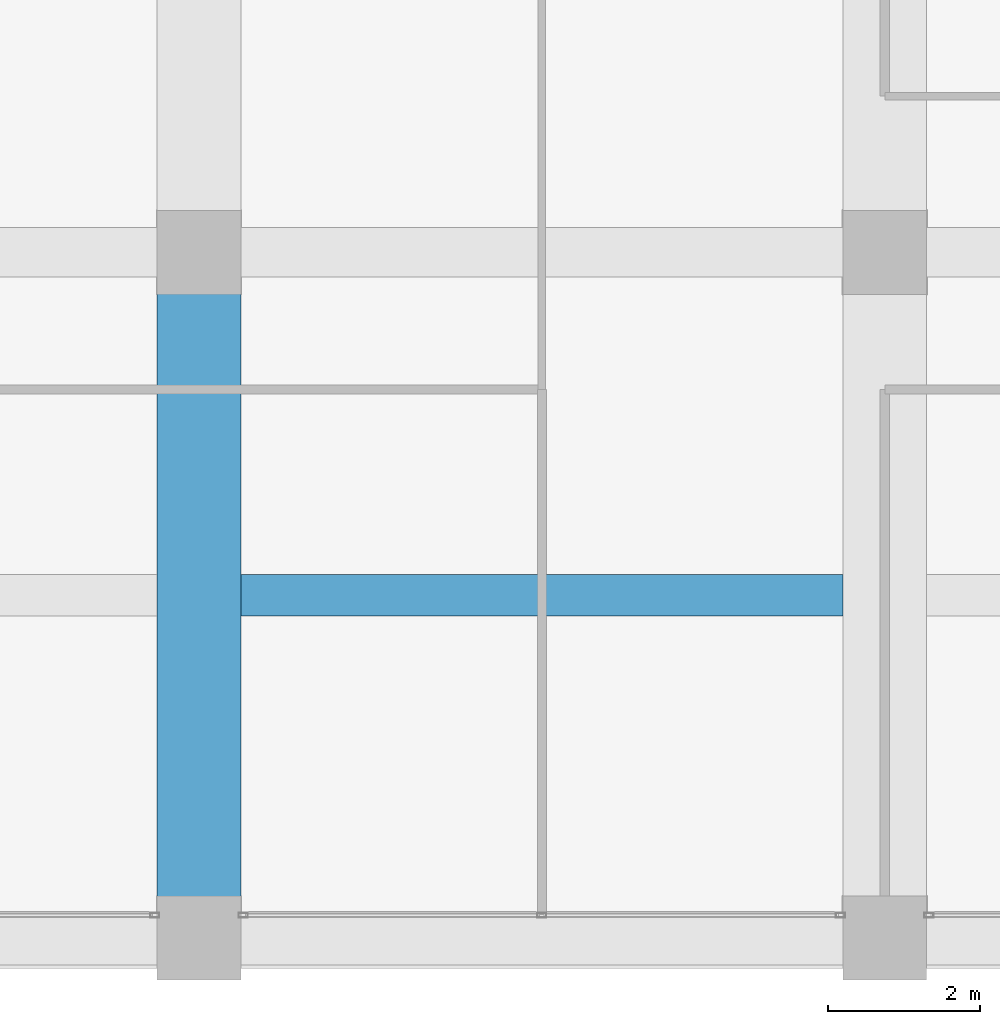
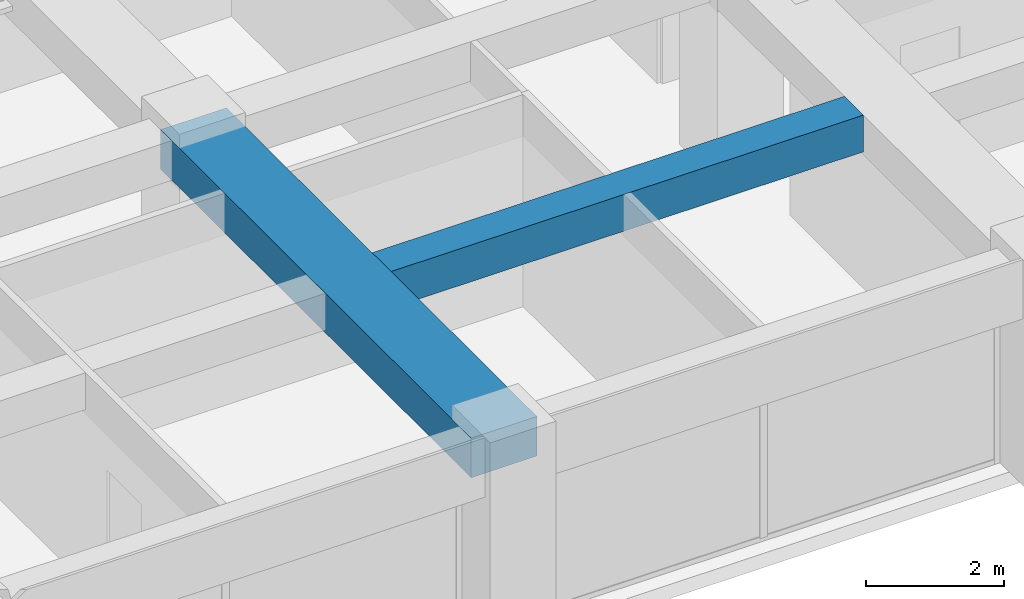
# One storey, part 10 of 44: 2 beams.
"""IFC4 building model written with IfcOpenShell, lengths in metres."""

from ifc_helpers import new_model, si_unit, direction, frame, origin, origin_2d, place, context, subcontext, project, spatial, rectangle, extrude, material, material_profile, profile_set, type_object, element, save


model = new_model("IFC4")

# Units and contexts
model_context = context("Model", 3, precision=1e-05, world=origin(), true_north=direction((0.0, 1.0)))
body_context = subcontext(model_context, "Body", "Model", "MODEL_VIEW")
ifc_project = project(units=[si_unit("LENGTHUNIT", "METRE"), si_unit("AREAUNIT", "SQUARE_METRE"), si_unit("VOLUMEUNIT", "CUBIC_METRE"), si_unit("PLANEANGLEUNIT", "RADIAN"), si_unit("MASSUNIT", "GRAM", prefix="KILO")], contexts=[model_context])

# Site, building, storey
site_placement = place(None, origin())
site = spatial("IfcSite", under=ifc_project, at=site_placement, CompositionType="ELEMENT")
building_placement = place(site_placement, origin())
building = spatial("IfcBuilding", under=site, at=building_placement, Name="Zorevar Civic Tower", CompositionType="ELEMENT")
storey_placement = place(building_placement, frame((0.0, 0.0, 299.39990234375)))
storey = spatial("IfcBuildingStorey", under=building, at=storey_placement, Name="L73", CompositionType="ELEMENT", Elevation=299.39990234375)

# Beams
ifc_material_1 = material(Name="Concrete C50/60", Category="concrete")
ifc_material_profile_1 = material_profile(ifc_material_1, rectangle(XDim=1.10009765625, YDim=0.699951171875, at=origin_2d()), Name="RC 1100x700")
ifc_profile_set_1 = profile_set([ifc_material_profile_1], Name="Concrete C50/60")
beam_type_1 = type_object("IfcBeamType", Name="Beam RC 1100x700", PredefinedType="BEAM", material=ifc_profile_set_1)
beam_1_placement = place(storey_placement, frame((27.0, 0.0, 3.400146484375), z_axis=(0.0, 1.0, 0.0), x_axis=(-1.0, 0.0, 0.0)))
element("IfcBeam", 1, at=beam_1_placement, inside=storey, type_object=beam_type_1, Name="Girder L74", PredefinedType="BEAM", context=body_context, shape_type="SweptSolid", body=[
    extrude(rectangle(XDim=1.10009765625, YDim=0.699951171875, at=origin_2d()), origin(), (0.0, 0.0, 1.0), 9.0),
])
ifc_material_2 = material(Name="Concrete C50/60", Category="concrete")
ifc_material_profile_2 = material_profile(ifc_material_2, rectangle(XDim=0.550048828125, YDim=0.64990234375, at=origin_2d()), Name="RC 550x650")
ifc_profile_set_2 = profile_set([ifc_material_profile_2], Name="Concrete C50/60")
beam_type_2 = type_object("IfcBeamType", Name="Beam RC 550x650", PredefinedType="BEAM", material=ifc_profile_set_2)
beam_2_placement = place(storey_placement, frame((27.550048828125, 4.5, 3.425048828125), z_axis=(1.0, 0.0, 0.0), x_axis=(0.0, 1.0, 0.0)))
element("IfcBeam", 2, at=beam_2_placement, inside=storey, type_object=beam_type_2, Name="Secondary beam L74", PredefinedType="BEAM", context=body_context, shape_type="SweptSolid", body=[
    extrude(rectangle(XDim=0.550048828125, YDim=0.64990234375, at=origin_2d()), origin(), (0.0, 0.0, 1.0), 7.89990234375),
])

save(model, "model.ifc")
